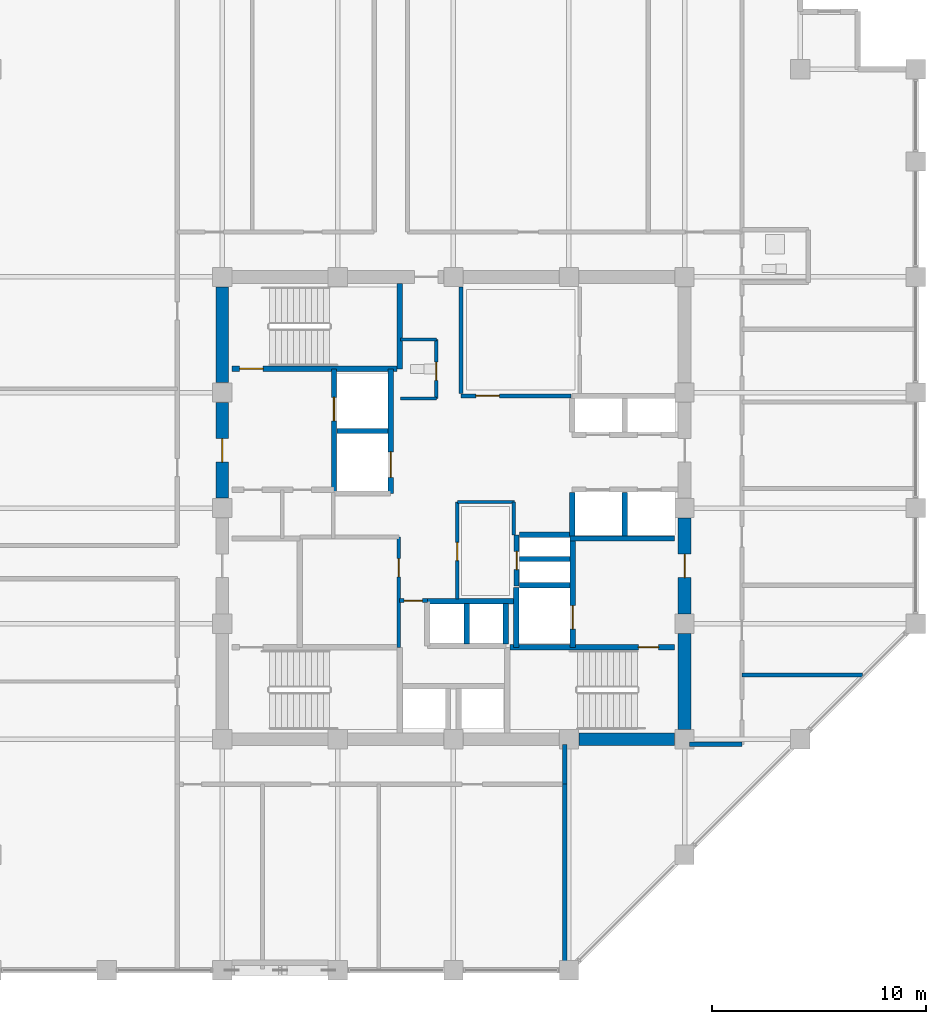
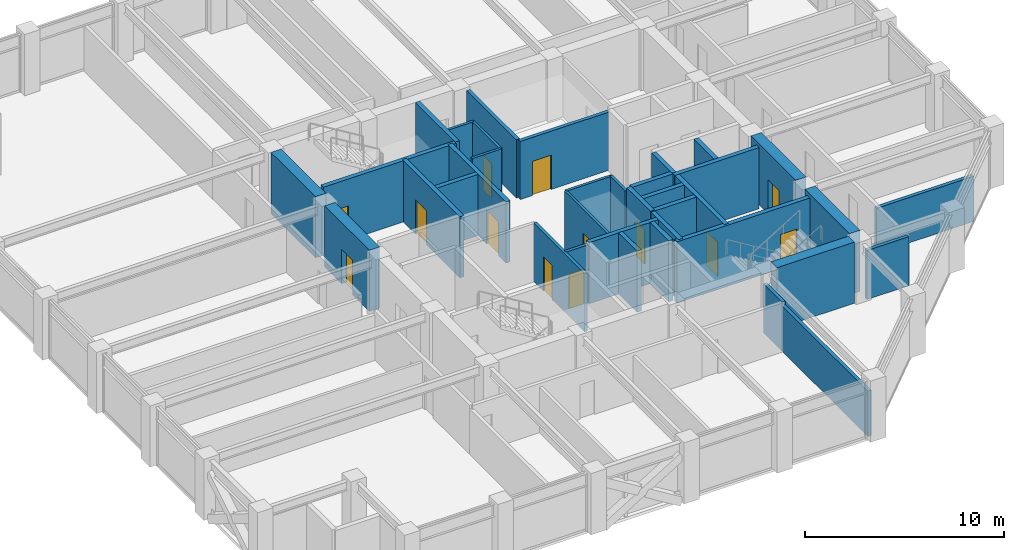
# One storey, part 28 of 32: 37 walls, 13 doors, 13 openings.
"""IFC4 building model written with IfcOpenShell, lengths in metres."""

from ifc_helpers import new_model, si_unit, direction, frame, frame_2d, origin, place, context, subcontext, project, spatial, rectangle, extrude, material, layer, layer_set, type_object, element, fill, save


model = new_model("IFC4")

# Units and contexts
model_context = context("Model", 3, precision=1e-05, world=origin(), true_north=direction((0.0, 1.0)))
body_context = subcontext(model_context, "Body", "Model", "MODEL_VIEW")
ifc_project = project(units=[si_unit("LENGTHUNIT", "METRE"), si_unit("AREAUNIT", "SQUARE_METRE"), si_unit("VOLUMEUNIT", "CUBIC_METRE"), si_unit("PLANEANGLEUNIT", "RADIAN"), si_unit("MASSUNIT", "GRAM", prefix="KILO")], contexts=[model_context])

# Site, building, storey
site_placement = place(None, origin())
site = spatial("IfcSite", under=ifc_project, at=site_placement, CompositionType="ELEMENT")
building_placement = place(site_placement, origin())
building = spatial("IfcBuilding", under=site, at=building_placement, Name="Surkhivell Harbour Commons", CompositionType="ELEMENT")
storey_placement = place(building_placement, frame((0.0, 0.0, 204.75)))
storey = spatial("IfcBuildingStorey", under=building, at=storey_placement, Name="L53", CompositionType="ELEMENT", Elevation=204.75)

# Wall
ifc_material_1 = material(Name="Concrete C60/75", Category="concrete")
ifc_layer_1 = layer(ifc_material_1, 0.60009765625)
ifc_layer_set_1 = layer_set([ifc_layer_1], Name="Concrete C60/75")
wall_type_1 = type_object("IfcWallType", Name="WAL-CORE-600", PredefinedType="SHEAR", material=ifc_layer_set_1)
wall_1_placement = place(storey_placement, frame((10.800048828125, -10.340087890625, 0.0), z_axis=(0.0, 0.0, 1.0), x_axis=(0.0, 1.0, 0.0)))
element("IfcWall", 1, at=wall_1_placement, inside=storey, type_object=wall_type_1, Name="L53 Core Shear Wall East 1", PredefinedType="SHEAR", context=body_context, shape_type="SweptSolid", body=[
    extrude(rectangle(XDim=4.47998046875, YDim=0.60009765625, at=frame_2d((2.239990234375, 0.0))), origin(), (0.0, 0.0, 1.0), 3.75),
])

# Wall, opening, door
wall_2_placement = place(storey_placement, frame((10.800048828125, -4.93994140625, 0.0), z_axis=(0.0, 0.0, 1.0), x_axis=(0.0, 1.0, 0.0)))
wall_2 = element("IfcWall", 2, at=wall_2_placement, inside=storey, type_object=wall_type_1, Name="L53 Core Shear Wall East 2", PredefinedType="SHEAR", context=body_context, shape_type="SweptSolid", body=[
    extrude(rectangle(XDim=4.47998046875, YDim=0.60009765625, at=frame_2d((2.239990234375, 0.0))), origin(), (0.0, 0.0, 1.0), 3.75),
])
opening_1_placement = place(wall_2_placement, frame((1.68994140625, 0.0, 0.0)))
opening_1 = element("IfcOpeningElement", 3, at=opening_1_placement, cuts=wall_2, Name="Opening ID-1", PredefinedType="OPENING", context=body_context, shape_type="SweptSolid", body=[
    extrude(rectangle(XDim=1.10009765625, YDim=2.10009765625, at=frame_2d((0.550048828125, 1.050048828125))), frame((0.0, 0.31005859375, 0.0), z_axis=(0.0, -1.0, 0.0), x_axis=(1.0, 0.0, 0.0)), (0.0, 0.0, 1.0), 0.6201171875),
])
ifc_material_2 = material(Name="Hardwood-veneered fire-rated door leaf", Category="wood")
door_type_1 = type_object("IfcDoorType", Name="DOR-FD120-1100", OperationType="NOTDEFINED", PredefinedType="DOOR", material=ifc_material_2)
door_1_placement = place(opening_1_placement, origin())
door_1 = element("IfcDoor", 4, at=door_1_placement, inside=storey, type_object=door_type_1, Name="L53 Firefighting Lobby 2 Corridor Door", OperationType="SINGLE_SWING_RIGHT", OverallHeight=2.10009765625, OverallWidth=1.10009765625, PredefinedType="DOOR", context=body_context, shape_type="SweptSolid", body=[
    extrude(rectangle(XDim=1.10009765625, YDim=2.10009765625, at=frame_2d((0.550048828125, 1.050048828125))), frame((0.0, 0.02490234375, 0.0), z_axis=(0.0, -1.0, 0.0), x_axis=(1.0, 0.0, 0.0)), (0.0, 0.0, 1.0), 0.050048828125),
])
fill(opening_1, door_1)

wall_3_placement = place(storey_placement, frame((-10.800048828125, 0.4599609375, 0.0), z_axis=(0.0, 0.0, 1.0), x_axis=(0.0, 1.0, 0.0)))
wall_3 = element("IfcWall", 5, at=wall_3_placement, inside=storey, type_object=wall_type_1, Name="L53 Core Shear Wall West 3", PredefinedType="SHEAR", context=body_context, shape_type="SweptSolid", body=[
    extrude(rectangle(XDim=4.47998046875, YDim=0.60009765625, at=frame_2d((2.239990234375, 0.0))), origin(), (0.0, 0.0, 1.0), 3.75),
])
opening_2_placement = place(wall_3_placement, frame((1.68994140625, 0.0, 0.0)))
opening_2 = element("IfcOpeningElement", 6, at=opening_2_placement, cuts=wall_3, Name="Opening ID-1", PredefinedType="OPENING", context=body_context, shape_type="SweptSolid", body=[
    extrude(rectangle(XDim=1.10009765625, YDim=2.10009765625, at=frame_2d((0.550048828125, 1.050048828125))), frame((0.0, 0.31005859375, 0.0), z_axis=(0.0, -1.0, 0.0), x_axis=(1.0, 0.0, 0.0)), (0.0, 0.0, 1.0), 0.6201171875),
])
door_2_placement = place(opening_2_placement, origin())
door_2 = element("IfcDoor", 7, at=door_2_placement, inside=storey, type_object=door_type_1, Name="L53 Firefighting Lobby 1 Corridor Door", OperationType="SINGLE_SWING_LEFT", OverallHeight=2.10009765625, OverallWidth=1.10009765625, PredefinedType="DOOR", context=body_context, shape_type="SweptSolid", body=[
    extrude(rectangle(XDim=1.10009765625, YDim=2.10009765625, at=frame_2d((0.550048828125, 1.050048828125))), frame((0.0, 0.02490234375, 0.0), z_axis=(0.0, -1.0, 0.0), x_axis=(1.0, 0.0, 0.0)), (0.0, 0.0, 1.0), 0.050048828125),
])
fill(opening_2, door_2)

# Walls
for number, where, z_axis, x_axis, name in (
    (8, (5.860107421875, -10.800048828125, 0.0), (0.0, 0.0, 1.0), (1.0, 0.0, 0.0), "L53 Core Shear Wall South 4"),
    (9, (-10.800048828125, 5.860107421875, 0.0), (0.0, 0.0, 1.0), (0.0, 1.0, 0.0), "L53 Core Shear Wall West 4"),
):
    element("IfcWall", number, at=place(storey_placement, frame(where, z_axis=z_axis, x_axis=x_axis)), inside=storey, type_object=wall_type_1, Name=name, PredefinedType="SHEAR", context=body_context, shape_type="SweptSolid", body=[
        extrude(rectangle(XDim=4.47998046875, YDim=0.60009765625, at=frame_2d((2.239990234375, 0.0))), origin(), (0.0, 0.0, 1.0), 3.75),
    ])

# Wall, opening, door
ifc_material_3 = material(Name="Twin-stud acoustic fireboard partition", Category="other")
ifc_layer_2 = layer(ifc_material_3, 0.14990234375)
ifc_layer_set_2 = layer_set([ifc_layer_2], Name="Twin-stud acoustic fireboard partition")
wall_type_2 = type_object("IfcWallType", Name="WAL-INT-150", PredefinedType="PARTITIONING", material=ifc_layer_set_2)
wall_4_placement = place(storey_placement, frame((-0.800048828125, 5.1201171875, 0.0), z_axis=(0.0, 0.0, 1.0), x_axis=(0.0, 1.0, 0.0)))
wall_4 = element("IfcWall", 10, at=wall_4_placement, inside=storey, type_object=wall_type_2, Name="L53 Core Accessible WC East Wall", PredefinedType="PARTITIONING", context=body_context, shape_type="SweptSolid", body=[
    extrude(rectangle(XDim=2.759765625, YDim=0.14990234375, at=frame_2d((1.3798828125, 0.0))), origin(), (0.0, 0.0, 1.0), 3.570068359375),
])
opening_3_placement = place(wall_4_placement, frame((0.85009765625, 0.0, 0.0)))
opening_3 = element("IfcOpeningElement", 11, at=opening_3_placement, cuts=wall_4, Name="Opening ID-6", PredefinedType="OPENING", context=body_context, shape_type="SweptSolid", body=[
    extrude(rectangle(XDim=0.85009765625, YDim=2.10009765625, at=frame_2d((0.425048828125, 1.050048828125))), frame((0.0, 0.0849609375, 0.0), z_axis=(0.0, -1.0, 0.0), x_axis=(1.0, 0.0, 0.0)), (0.0, 0.0, 1.0), 0.169921875),
])
door_type_2 = type_object("IfcDoorType", Name="DOR-FD30-850", OperationType="NOTDEFINED", PredefinedType="DOOR", material=ifc_material_2)
door_3_placement = place(opening_3_placement, origin())
door_3 = element("IfcDoor", 12, at=door_3_placement, inside=storey, type_object=door_type_2, Name="L53 Floor Accessible WC Door", OperationType="SINGLE_SWING_LEFT", OverallHeight=2.10009765625, OverallWidth=0.85009765625, PredefinedType="DOOR", context=body_context, shape_type="SweptSolid", body=[
    extrude(rectangle(XDim=0.85009765625, YDim=2.10009765625, at=frame_2d((0.425048828125, 1.050048828125))), frame((0.0, 0.02490234375, 0.0), z_axis=(0.0, -1.0, 0.0), x_axis=(1.0, 0.0, 0.0)), (0.0, 0.0, 1.0), 0.050048828125),
])
fill(opening_3, door_3)

# Walls
for number, where, z_axis, x_axis, name in (
    (13, (-2.47998046875, 7.8798828125, 0.0), (0.0, 0.0, 1.0), (1.0, 0.0, 0.0), "L53 Core Accessible WC North Wall"),
    (14, (-2.47998046875, 5.1201171875, 0.0), (0.0, 0.0, 1.0), (1.0, 0.0, 0.0), "L53 Core Accessible WC South Wall"),
):
    element("IfcWall", number, at=place(storey_placement, frame(where, z_axis=z_axis, x_axis=x_axis)), inside=storey, type_object=wall_type_2, Name=name, PredefinedType="PARTITIONING", context=body_context, shape_type="SweptSolid", body=[
        extrude(rectangle(XDim=1.679931640625, YDim=0.14990234375, at=frame_2d((0.83984375, 0.0))), origin(), (0.0, 0.0, 1.0), 3.570068359375),
    ])
wall_5_placement = place(storey_placement, frame((2.820068359375, -1.25, 0.0), z_axis=(0.0, 0.0, 1.0), x_axis=(0.0, 1.0, 0.0)))
element("IfcWall", 15, at=wall_5_placement, inside=storey, type_object=wall_type_2, Name="L53 Central Music East Wall", PredefinedType="PARTITIONING", context=body_context, shape_type="SweptSolid", body=[
    extrude(rectangle(XDim=1.530029296875, YDim=0.14990234375, at=frame_2d((0.76513671875, 0.0))), origin(), (0.0, 0.0, 1.0), 3.570068359375),
])
wall_6_placement = place(storey_placement, frame((0.179931640625, 0.280029296875, 0.0), z_axis=(0.0, 0.0, 1.0), x_axis=(1.0, 0.0, 0.0)))
element("IfcWall", 16, at=wall_6_placement, inside=storey, type_object=wall_type_2, Name="L53 Central Music North Wall", PredefinedType="PARTITIONING", context=body_context, shape_type="SweptSolid", body=[
    extrude(rectangle(XDim=2.670166015625, YDim=0.14990234375, at=frame_2d((1.3349609375, 0.0))), origin(), (0.0, 0.0, 1.0), 3.570068359375),
])

# Wall, opening, door
wall_7_placement = place(storey_placement, frame((0.179931640625, -4.25, 0.0), z_axis=(0.0, 0.0, 1.0), x_axis=(0.0, 1.0, 0.0)))
wall_7 = element("IfcWall", 17, at=wall_7_placement, inside=storey, type_object=wall_type_2, Name="L53 Central Music West Wall", PredefinedType="PARTITIONING", context=body_context, shape_type="SweptSolid", body=[
    extrude(rectangle(XDim=4.530029296875, YDim=0.14990234375, at=frame_2d((2.26513671875, 0.0))), origin(), (0.0, 0.0, 1.0), 3.570068359375),
])
opening_4_placement = place(wall_7_placement, frame((1.800048828125, 0.0, 0.0)))
opening_4 = element("IfcOpeningElement", 18, at=opening_4_placement, cuts=wall_7, Name="Opening ID-6", PredefinedType="OPENING", context=body_context, shape_type="SweptSolid", body=[
    extrude(rectangle(XDim=0.85009765625, YDim=2.10009765625, at=frame_2d((0.425048828125, 1.050048828125))), frame((0.0, 0.0849609375, 0.0), z_axis=(0.0, -1.0, 0.0), x_axis=(1.0, 0.0, 0.0)), (0.0, 0.0, 1.0), 0.169921875),
])
door_4_placement = place(opening_4_placement, origin())
door_4 = element("IfcDoor", 19, at=door_4_placement, inside=storey, type_object=door_type_2, Name="L53 Central Music Door", OperationType="SINGLE_SWING_RIGHT", OverallHeight=2.10009765625, OverallWidth=0.85009765625, PredefinedType="DOOR", context=body_context, shape_type="SweptSolid", body=[
    extrude(rectangle(XDim=0.85009765625, YDim=2.10009765625, at=frame_2d((0.425048828125, 1.050048828125))), frame((0.0, 0.02490234375, 0.0), z_axis=(0.0, -1.0, 0.0), x_axis=(1.0, 0.0, 0.0)), (0.0, 0.0, 1.0), 0.050048828125),
])
fill(opening_4, door_4)

ifc_material_4 = material(Name="High-density acoustic blockwork fire partition", Category="masonry")
ifc_layer_3 = layer(ifc_material_4, 0.175048828125)
ifc_layer_set_3 = layer_set([ifc_layer_3], Name="High-density acoustic blockwork fire partition")
wall_type_3 = type_object("IfcWallType", Name="WAL-INT-175", PredefinedType="PARTITIONING", material=ifc_layer_set_3)
wall_8_placement = place(storey_placement, frame((-2.550048828125, -6.510009765625, 0.0), z_axis=(0.0, 0.0, 1.0), x_axis=(0.0, 1.0, 0.0)))
wall_8 = element("IfcWall", 20, at=wall_8_placement, inside=storey, type_object=wall_type_3, Name="L53 Core Service Bay East Wall", PredefinedType="PARTITIONING", context=body_context, shape_type="SweptSolid", body=[
    extrude(rectangle(XDim=5.159912109375, YDim=0.175048828125, at=frame_2d((2.580078125, 0.0))), origin(), (0.0, 0.0, 1.0), 3.570068359375),
])
opening_5_placement = place(wall_8_placement, frame((3.300048828125, 0.0, 0.0)))
opening_5 = element("IfcOpeningElement", 21, at=opening_5_placement, cuts=wall_8, Name="Opening ID-6", PredefinedType="OPENING", context=body_context, shape_type="SweptSolid", body=[
    extrude(rectangle(XDim=0.85009765625, YDim=2.10009765625, at=frame_2d((0.425048828125, 1.050048828125))), frame((0.0, 0.097412109375, 0.0), z_axis=(0.0, -1.0, 0.0), x_axis=(1.0, 0.0, 0.0)), (0.0, 0.0, 1.0), 0.195068359375),
])
door_5_placement = place(opening_5_placement, origin())
door_5 = element("IfcDoor", 22, at=door_5_placement, inside=storey, type_object=door_type_2, Name="L53 Core Quiet Reading Door", OperationType="SINGLE_SWING_RIGHT", OverallHeight=2.10009765625, OverallWidth=0.85009765625, PredefinedType="DOOR", context=body_context, shape_type="SweptSolid", body=[
    extrude(rectangle(XDim=0.85009765625, YDim=2.10009765625, at=frame_2d((0.425048828125, 1.050048828125))), frame((0.0, 0.02490234375, 0.0), z_axis=(0.0, -1.0, 0.0), x_axis=(1.0, 0.0, 0.0)), (0.0, 0.0, 1.0), 0.050048828125),
])
fill(opening_5, door_5)

wall_9_placement = place(storey_placement, frame((-2.52001953125, -4.320068359375, 0.0), z_axis=(0.0, 0.0, 1.0), x_axis=(1.0, 0.0, 0.0)))
wall_9 = element("IfcWall", 23, at=wall_9_placement, inside=storey, type_object=wall_type_3, Name="L53 High-Rise Lobby North Portal Wall", PredefinedType="PARTITIONING", context=body_context, shape_type="SweptSolid", body=[
    extrude(rectangle(XDim=1.300048828125, YDim=0.175048828125, at=frame_2d((0.64990234375, 0.0))), origin(), (0.0, 0.0, 1.0), 3.570068359375),
])
opening_6_placement = place(wall_9_placement, frame((0.219970703125, 0.0, 0.0)))
opening_6 = element("IfcOpeningElement", 24, at=opening_6_placement, cuts=wall_9, Name="Opening ID-6", PredefinedType="OPENING", context=body_context, shape_type="SweptSolid", body=[
    extrude(rectangle(XDim=0.85009765625, YDim=2.10009765625, at=frame_2d((0.425048828125, 1.050048828125))), frame((0.0, 0.097412109375, 0.0), z_axis=(0.0, -1.0, 0.0), x_axis=(1.0, 0.0, 0.0)), (0.0, 0.0, 1.0), 0.195068359375),
])
door_6_placement = place(opening_6_placement, origin())
door_6 = element("IfcDoor", 25, at=door_6_placement, inside=storey, type_object=door_type_2, Name="L53 High-Rise Lift Lobby North Door", OperationType="SINGLE_SWING_LEFT", OverallHeight=2.10009765625, OverallWidth=0.85009765625, PredefinedType="DOOR", context=body_context, shape_type="SweptSolid", body=[
    extrude(rectangle(XDim=0.85009765625, YDim=2.10009765625, at=frame_2d((0.425048828125, 1.050048828125))), frame((0.0, 0.02490234375, 0.0), z_axis=(0.0, -1.0, 0.0), x_axis=(1.0, 0.0, 0.0)), (0.0, 0.0, 1.0), 0.050048828125),
])
fill(opening_6, door_6)

ifc_material_5 = material(Name="Autoclaved aerated concrete blockwork and fire plaster", Category="masonry")
ifc_layer_4 = layer(ifc_material_5, 0.199951171875)
ifc_layer_set_4 = layer_set([ifc_layer_4], Name="Autoclaved aerated concrete blockwork and fire plaster")
wall_type_4 = type_object("IfcWallType", Name="WAL-INT-200", PredefinedType="PARTITIONING", material=ifc_layer_set_4)
wall_10_placement = place(storey_placement, frame((0.35009765625, 5.239990234375, 0.0), z_axis=(0.0, 0.0, 1.0), x_axis=(1.0, 0.0, 0.0)))
wall_10 = element("IfcWall", 26, at=wall_10_placement, inside=storey, type_object=wall_type_4, Name="L53 Reclaimed Core North Bay South Wall", PredefinedType="PARTITIONING", context=body_context, shape_type="SweptSolid", body=[
    extrude(rectangle(XDim=5.14990234375, YDim=0.199951171875, at=frame_2d((2.574951171875, 0.0))), origin(), (0.0, 0.0, 1.0), 3.570068359375),
])
opening_7_placement = place(wall_10_placement, frame((0.699951171875, 0.0, 0.0)))
opening_7 = element("IfcOpeningElement", 27, at=opening_7_placement, cuts=wall_10, Name="Opening ID-2", PredefinedType="OPENING", context=body_context, shape_type="SweptSolid", body=[
    extrude(rectangle(XDim=1.10009765625, YDim=2.10009765625, at=frame_2d((0.550048828125, 1.050048828125))), frame((0.0, 0.10986328125, 0.0), z_axis=(0.0, -1.0, 0.0), x_axis=(1.0, 0.0, 0.0)), (0.0, 0.0, 1.0), 0.219970703125),
])
door_type_3 = type_object("IfcDoorType", Name="DOR-FD60-1100", OperationType="NOTDEFINED", PredefinedType="DOOR", material=ifc_material_2)
door_7_placement = place(opening_7_placement, origin())
door_7 = element("IfcDoor", 28, at=door_7_placement, inside=storey, type_object=door_type_3, Name="L53 Core Seminar Door", OperationType="SINGLE_SWING_LEFT", OverallHeight=2.10009765625, OverallWidth=1.10009765625, PredefinedType="DOOR", context=body_context, shape_type="SweptSolid", body=[
    extrude(rectangle(XDim=1.10009765625, YDim=2.10009765625, at=frame_2d((0.550048828125, 1.050048828125))), frame((0.0, 0.02490234375, 0.0), z_axis=(0.0, -1.0, 0.0), x_axis=(1.0, 0.0, 0.0)), (0.0, 0.0, 1.0), 0.050048828125),
])
fill(opening_7, door_7)

# Walls
wall_11_placement = place(storey_placement, frame((0.35009765625, 5.360107421875, 0.0), z_axis=(0.0, 0.0, 1.0), x_axis=(0.0, 1.0, 0.0)))
element("IfcWall", 29, at=wall_11_placement, inside=storey, type_object=wall_type_4, Name="L53 Reclaimed Core North Bay West Wall", PredefinedType="PARTITIONING", context=body_context, shape_type="SweptSolid", body=[
    extrude(rectangle(XDim=4.97998046875, YDim=0.199951171875, at=frame_2d((2.489990234375, 0.0))), origin(), (0.0, 0.0, 1.0), 3.570068359375),
])
wall_12_placement = place(storey_placement, frame((5.199951171875, -21.5400390625, 0.0), z_axis=(0.0, 0.0, 1.0), x_axis=(0.0, 1.0, 0.0)))
element("IfcWall", 30, at=wall_12_placement, inside=storey, type_object=wall_type_4, Name="L53 South-East Corner Wall", PredefinedType="PARTITIONING", context=body_context, shape_type="SweptSolid", body=[
    extrude(rectangle(XDim=8.64013671875, YDim=0.199951171875, at=frame_2d((4.320068359375, 0.0))), origin(), (0.0, 0.0, 1.0), 2.780029296875),
])
wall_13_placement = place(storey_placement, frame((11.0400390625, -11.0400390625, 0.0), z_axis=(0.0, 0.0, 1.0), x_axis=(1.0, 0.0, 0.0)))
element("IfcWall", 31, at=wall_13_placement, inside=storey, type_object=wall_type_4, Name="L53 Corridor East South Closure Wall", PredefinedType="PARTITIONING", context=body_context, shape_type="SweptSolid", body=[
    extrude(rectangle(XDim=2.43994140625, YDim=0.199951171875, at=frame_2d((1.219970703125, 0.0))), origin(), (0.0, 0.0, 1.0), 3.006103515625),
])
wall_14_placement = place(storey_placement, frame((5.199951171875, -12.89990234375, 0.0), z_axis=(0.0, 0.0, 1.0), x_axis=(0.0, 1.0, 0.0)))
element("IfcWall", 32, at=wall_14_placement, inside=storey, type_object=wall_type_4, Name="L53 Corridor South End Wall", PredefinedType="PARTITIONING", context=body_context, shape_type="SweptSolid", body=[
    extrude(rectangle(XDim=1.85986328125, YDim=0.199951171875, at=frame_2d((0.929931640625, 0.0))), origin(), (0.0, 0.0, 1.0), 3.006103515625),
])
wall_15_placement = place(storey_placement, frame((13.47998046875, -7.800048828125, 0.0), z_axis=(0.0, 0.0, 1.0), x_axis=(1.0, 0.0, 0.0)))
element("IfcWall", 33, at=wall_15_placement, inside=storey, type_object=wall_type_4, Name="L53 East Partition PBOT", PredefinedType="PARTITIONING", context=body_context, shape_type="SweptSolid", body=[
    extrude(rectangle(XDim=5.63525390625, YDim=0.199951171875, at=frame_2d((2.817626953125, 0.0))), origin(), (0.0, 0.0, 1.0), 2.780029296875),
])

# Wall, opening, door
ifc_material_6 = material(Name="Concrete C50/60", Category="concrete")
ifc_layer_5 = layer(ifc_material_6, 0.25)
ifc_layer_set_5 = layer_set([ifc_layer_5], Name="Concrete C50/60")
wall_type_5 = type_object("IfcWallType", Name="WAL-SHAFT-250", PredefinedType="SHEAR", material=ifc_layer_set_5)
wall_16_placement = place(storey_placement, frame((-5.580078125, 0.719970703125, 0.0), z_axis=(0.0, 0.0, 1.0), x_axis=(0.0, 1.0, 0.0)))
wall_16 = element("IfcWall", 34, at=wall_16_placement, inside=storey, type_object=wall_type_5, Name="L53 Firefighting Lobby 1 East Shaft Wall", PredefinedType="SHEAR", context=body_context, shape_type="SweptSolid", body=[
    extrude(rectangle(XDim=5.7900390625, YDim=0.25, at=frame_2d((2.89501953125, 0.0))), origin(), (0.0, 0.0, 1.0), 3.75),
])
opening_8_placement = place(wall_16_placement, frame((3.35009765625, 0.0, 0.0)))
opening_8 = element("IfcOpeningElement", 35, at=opening_8_placement, cuts=wall_16, Name="Opening LD-1", PredefinedType="OPENING", context=body_context, shape_type="SweptSolid", body=[
    extrude(rectangle(XDim=1.10009765625, YDim=2.10009765625, at=frame_2d((0.550048828125, 1.050048828125))), frame((0.0, 0.135009765625, 0.0), z_axis=(0.0, -1.0, 0.0), x_axis=(1.0, 0.0, 0.0)), (0.0, 0.0, 1.0), 0.27001953125),
])
ifc_material_7 = material(Name="Brushed stainless steel S355", Category="steel")
door_type_4 = type_object("IfcDoorType", Name="DOR-LD-1100", OperationType="SLIDING_TO_LEFT", PredefinedType="DOOR", material=ifc_material_7)
door_8_placement = place(opening_8_placement, origin())
door_8 = element("IfcDoor", 36, at=door_8_placement, inside=storey, type_object=door_type_4, Name="L53 Lift Landing Door LD-FFL1", OperationType="SLIDING_TO_LEFT", OverallHeight=2.10009765625, OverallWidth=1.10009765625, PredefinedType="DOOR", context=body_context, shape_type="SweptSolid", body=[
    extrude(rectangle(XDim=1.10009765625, YDim=2.10009765625, at=frame_2d((0.550048828125, 1.050048828125))), frame((0.0, 0.02490234375, 0.0), z_axis=(0.0, -1.0, 0.0), x_axis=(1.0, 0.0, 0.0)), (0.0, 0.0, 1.0), 0.050048828125),
])
fill(opening_8, door_8)

# Walls
wall_17_placement = place(storey_placement, frame((2.929931640625, -6.510009765625, 0.0), z_axis=(0.0, 0.0, 1.0), x_axis=(0.0, 1.0, 0.0)))
element("IfcWall", 37, at=wall_17_placement, inside=storey, type_object=wall_type_5, Name="L53 FFL2 West Shaft Wall", PredefinedType="SHEAR", context=body_context, shape_type="SweptSolid", body=[
    extrude(rectangle(XDim=2.7900390625, YDim=0.25, at=frame_2d((1.39501953125, 0.0))), origin(), (0.0, 0.0, 1.0), 3.75),
])
wall_18_placement = place(storey_placement, frame((5.43994140625, -1.419921875, 0.0), z_axis=(0.0, 0.0, 1.0), x_axis=(1.0, 0.0, 0.0)))
element("IfcWall", 38, at=wall_18_placement, inside=storey, type_object=wall_type_5, Name="L53 Firefighting Lobby 2 North Wall", PredefinedType="SHEAR", context=body_context, shape_type="SweptSolid", body=[
    extrude(rectangle(XDim=4.900146484375, YDim=0.25, at=frame_2d((2.4501953125, 0.0))), origin(), (0.0, 0.0, 1.0), 3.75),
])
wall_19_placement = place(storey_placement, frame((3.080078125, -3.60009765625, 0.0), z_axis=(0.0, 0.0, 1.0), x_axis=(1.0, 0.0, 0.0)))
element("IfcWall", 39, at=wall_19_placement, inside=storey, type_object=wall_type_5, Name="L53 FFL2 North Shaft Wall", PredefinedType="SHEAR", context=body_context, shape_type="SweptSolid", body=[
    extrude(rectangle(XDim=2.369873046875, YDim=0.25, at=frame_2d((1.18505859375, 0.0))), origin(), (0.0, 0.0, 1.0), 3.75),
])

# Wall, opening, door
wall_20_placement = place(storey_placement, frame((5.580078125, -6.510009765625, 0.0), z_axis=(0.0, 0.0, 1.0), x_axis=(0.0, 1.0, 0.0)))
wall_20 = element("IfcWall", 40, at=wall_20_placement, inside=storey, type_object=wall_type_5, Name="L53 Firefighting Lobby 2 West Shaft Wall", PredefinedType="SHEAR", context=body_context, shape_type="SweptSolid", body=[
    extrude(rectangle(XDim=5.090087890625, YDim=0.25, at=frame_2d((2.544921875, 0.0))), origin(), (0.0, 0.0, 1.0), 3.75),
])
opening_9_placement = place(wall_20_placement, frame((0.85009765625, 0.0, 0.0)))
opening_9 = element("IfcOpeningElement", 41, at=opening_9_placement, cuts=wall_20, Name="Opening LD-1", PredefinedType="OPENING", context=body_context, shape_type="SweptSolid", body=[
    extrude(rectangle(XDim=1.10009765625, YDim=2.10009765625, at=frame_2d((0.550048828125, 1.050048828125))), frame((0.0, 0.135009765625, 0.0), z_axis=(0.0, -1.0, 0.0), x_axis=(1.0, 0.0, 0.0)), (0.0, 0.0, 1.0), 0.27001953125),
])
door_9_placement = place(opening_9_placement, origin())
door_9 = element("IfcDoor", 42, at=door_9_placement, inside=storey, type_object=door_type_4, Name="L53 Lift Landing Door LD-FFL2", OperationType="SLIDING_TO_RIGHT", OverallHeight=2.10009765625, OverallWidth=1.10009765625, PredefinedType="DOOR", context=body_context, shape_type="SweptSolid", body=[
    extrude(rectangle(XDim=1.10009765625, YDim=2.10009765625, at=frame_2d((0.550048828125, 1.050048828125))), frame((0.0, 0.02490234375, 0.0), z_axis=(0.0, -1.0, 0.0), x_axis=(1.0, 0.0, 0.0)), (0.0, 0.0, 1.0), 0.050048828125),
])
fill(opening_9, door_9)

# Walls
for number, where, z_axis, x_axis, name in (
    (43, (0.6201171875, -6.340087890625, 0.0), (0.0, 0.0, 1.0), (0.0, 1.0, 0.0), "L53 High-Rise Side Wall N"),
    (44, (2.449951171875, -6.340087890625, 0.0), (0.0, 0.0, 1.0), (0.0, 1.0, 0.0), "L53 High-Rise Side Wall N"),
):
    element("IfcWall", number, at=place(storey_placement, frame(where, z_axis=z_axis, x_axis=x_axis)), inside=storey, type_object=wall_type_5, Name=name, PredefinedType="SHEAR", context=body_context, shape_type="SweptSolid", body=[
        extrude(rectangle(XDim=1.880126953125, YDim=0.25, at=frame_2d((0.93994140625, 0.0))), origin(), (0.0, 0.0, 1.0), 3.75),
    ])
wall_21_placement = place(storey_placement, frame((-1.219970703125, -4.360107421875, 0.0), z_axis=(0.0, 0.0, 1.0), x_axis=(1.0, 0.0, 0.0)))
element("IfcWall", 45, at=wall_21_placement, inside=storey, type_object=wall_type_5, Name="L53 High-Rise North Back Shaft Wall", PredefinedType="SHEAR", context=body_context, shape_type="SweptSolid", body=[
    extrude(rectangle(XDim=4.030029296875, YDim=0.25, at=frame_2d((2.01513671875, 0.0))), origin(), (0.0, 0.0, 1.0), 3.75),
])
for number, where, z_axis, x_axis, name in (
    (46, (5.550048828125, -1.300048828125, 0.0), (0.0, 0.0, 1.0), (0.0, 1.0, 0.0), "L53 Mid-Rise Shaft Side Wall S"),
    (47, (8.0, -1.300048828125, 0.0), (0.0, 0.0, 1.0), (0.0, 1.0, 0.0), "L53 Mid-Rise Shaft Side Wall S"),
):
    element("IfcWall", number, at=place(storey_placement, frame(where, z_axis=z_axis, x_axis=x_axis)), inside=storey, type_object=wall_type_5, Name=name, PredefinedType="SHEAR", context=body_context, shape_type="SweptSolid", body=[
        extrude(rectangle(XDim=2.0400390625, YDim=0.25, at=frame_2d((1.02001953125, 0.0))), origin(), (0.0, 0.0, 1.0), 3.75),
    ])
for number, where, z_axis, x_axis, name in (
    (48, (3.080078125, -2.3798828125, 0.0), (0.0, 0.0, 1.0), (1.0, 0.0, 0.0), "L53 Riser Divider Wall"),
    (49, (3.080078125, -1.25, 0.0), (0.0, 0.0, 1.0), (1.0, 0.0, 0.0), "L53 Riser North Wall"),
):
    element("IfcWall", number, at=place(storey_placement, frame(where, z_axis=z_axis, x_axis=x_axis)), inside=storey, type_object=wall_type_5, Name=name, PredefinedType="SHEAR", context=body_context, shape_type="SweptSolid", body=[
        extrude(rectangle(XDim=2.369873046875, YDim=0.25, at=frame_2d((1.18505859375, 0.0))), origin(), (0.0, 0.0, 1.0), 3.75),
    ])

# Wall, opening, door
wall_22_placement = place(storey_placement, frame((2.949951171875, -3.64990234375, 0.0), z_axis=(0.0, 0.0, 1.0), x_axis=(0.0, 1.0, 0.0)))
wall_22 = element("IfcWall", 50, at=wall_22_placement, inside=storey, type_object=wall_type_5, Name="L53 Riser Shaft West Wall", PredefinedType="SHEAR", context=body_context, shape_type="SweptSolid", body=[
    extrude(rectangle(XDim=2.39990234375, YDim=0.25, at=frame_2d((1.199951171875, 0.0))), origin(), (0.0, 0.0, 1.0), 3.75),
])
opening_10_placement = place(wall_22_placement, frame((0.77490234375, 0.0, 0.0)))
opening_10 = element("IfcOpeningElement", 51, at=opening_10_placement, cuts=wall_22, Name="Opening ID-6", PredefinedType="OPENING", context=body_context, shape_type="SweptSolid", body=[
    extrude(rectangle(XDim=0.85009765625, YDim=2.10009765625, at=frame_2d((0.425048828125, 1.050048828125))), frame((0.0, 0.135009765625, 0.0), z_axis=(0.0, -1.0, 0.0), x_axis=(1.0, 0.0, 0.0)), (0.0, 0.0, 1.0), 0.27001953125),
])
door_10_placement = place(opening_10_placement, origin())
door_10 = element("IfcDoor", 52, at=door_10_placement, inside=storey, type_object=door_type_2, Name="L53 Electrical Riser Access Door", OperationType="SINGLE_SWING_LEFT", OverallHeight=2.10009765625, OverallWidth=0.85009765625, PredefinedType="DOOR", context=body_context, shape_type="SweptSolid", body=[
    extrude(rectangle(XDim=0.85009765625, YDim=2.10009765625, at=frame_2d((0.425048828125, 1.050048828125))), frame((0.0, 0.02490234375, 0.0), z_axis=(0.0, -1.0, 0.0), x_axis=(1.0, 0.0, 0.0)), (0.0, 0.0, 1.0), 0.050048828125),
])
fill(opening_10, door_10)

# Wall
wall_23_placement = place(storey_placement, frame((-2.510009765625, 6.510009765625, 0.0), z_axis=(0.0, 0.0, 1.0), x_axis=(0.0, 1.0, 0.0)))
element("IfcWall", 53, at=wall_23_placement, inside=storey, type_object=wall_type_5, Name="L53 Stair ST1 East Shear Wall", PredefinedType="SHEAR", context=body_context, shape_type="SweptSolid", body=[
    extrude(rectangle(XDim=3.989990234375, YDim=0.25, at=frame_2d((1.9951171875, 0.0))), origin(), (0.0, 0.0, 1.0), 3.75),
])

# Wall, opening, door
wall_24_placement = place(storey_placement, frame((-10.340087890625, 6.510009765625, 0.0), z_axis=(0.0, 0.0, 1.0), x_axis=(1.0, 0.0, 0.0)))
wall_24 = element("IfcWall", 54, at=wall_24_placement, inside=storey, type_object=wall_type_5, Name="L53 Stair ST1 South Shear Wall", PredefinedType="SHEAR", context=body_context, shape_type="SweptSolid", body=[
    extrude(rectangle(XDim=7.7001953125, YDim=0.25, at=frame_2d((3.85009765625, 0.0))), origin(), (0.0, 0.0, 1.0), 3.75),
])
opening_11_placement = place(wall_24_placement, frame((0.35009765625, 0.0, 0.0)))
opening_11 = element("IfcOpeningElement", 55, at=opening_11_placement, cuts=wall_24, Name="Opening ID-2", PredefinedType="OPENING", context=body_context, shape_type="SweptSolid", body=[
    extrude(rectangle(XDim=1.10009765625, YDim=2.10009765625, at=frame_2d((0.550048828125, 1.050048828125))), frame((0.0, 0.135009765625, 0.0), z_axis=(0.0, -1.0, 0.0), x_axis=(1.0, 0.0, 0.0)), (0.0, 0.0, 1.0), 0.27001953125),
])
door_11_placement = place(opening_11_placement, origin())
door_11 = element("IfcDoor", 56, at=door_11_placement, inside=storey, type_object=door_type_3, Name="L53 Stair ST1 Exit Door", OperationType="SINGLE_SWING_LEFT", OverallHeight=2.10009765625, OverallWidth=1.10009765625, PredefinedType="DOOR", context=body_context, shape_type="SweptSolid", body=[
    extrude(rectangle(XDim=1.10009765625, YDim=2.10009765625, at=frame_2d((0.550048828125, 1.050048828125))), frame((0.0, 0.02490234375, 0.0), z_axis=(0.0, -1.0, 0.0), x_axis=(1.0, 0.0, 0.0)), (0.0, 0.0, 1.0), 0.050048828125),
])
fill(opening_11, door_11)

wall_25_placement = place(storey_placement, frame((2.639892578125, -6.510009765625, 0.0), z_axis=(0.0, 0.0, 1.0), x_axis=(1.0, 0.0, 0.0)))
wall_25 = element("IfcWall", 57, at=wall_25_placement, inside=storey, type_object=wall_type_5, Name="L53 Stair ST2 North Shear Wall", PredefinedType="SHEAR", context=body_context, shape_type="SweptSolid", body=[
    extrude(rectangle(XDim=7.7001953125, YDim=0.25, at=frame_2d((3.85009765625, 0.0))), origin(), (0.0, 0.0, 1.0), 3.75),
])
opening_12_placement = place(wall_25_placement, frame((6.0, 0.0, 0.0)))
opening_12 = element("IfcOpeningElement", 58, at=opening_12_placement, cuts=wall_25, Name="Opening ID-4", PredefinedType="OPENING", context=body_context, shape_type="SweptSolid", body=[
    extrude(rectangle(XDim=0.949951171875, YDim=2.10009765625, at=frame_2d((0.47509765625, 1.050048828125))), frame((0.0, 0.135009765625, 0.0), z_axis=(0.0, -1.0, 0.0), x_axis=(1.0, 0.0, 0.0)), (0.0, 0.0, 1.0), 0.27001953125),
])
door_type_5 = type_object("IfcDoorType", Name="DOR-FD60-950", OperationType="NOTDEFINED", PredefinedType="DOOR", material=ifc_material_2)
door_12_placement = place(opening_12_placement, origin())
door_12 = element("IfcDoor", 59, at=door_12_placement, inside=storey, type_object=door_type_5, Name="L53 Stair ST2 Exit Door", OperationType="SINGLE_SWING_RIGHT", OverallHeight=2.10009765625, OverallWidth=0.949951171875, PredefinedType="DOOR", context=body_context, shape_type="SweptSolid", body=[
    extrude(rectangle(XDim=0.949951171875, YDim=2.10009765625, at=frame_2d((0.47509765625, 1.050048828125))), frame((0.0, 0.02490234375, 0.0), z_axis=(0.0, -1.0, 0.0), x_axis=(1.0, 0.0, 0.0)), (0.0, 0.0, 1.0), 0.050048828125),
])
fill(opening_12, door_12)

wall_26_placement = place(storey_placement, frame((-2.929931640625, 0.679931640625, 0.0), z_axis=(0.0, 0.0, 1.0), x_axis=(0.0, 1.0, 0.0)))
wall_26 = element("IfcWall", 60, at=wall_26_placement, inside=storey, type_object=wall_type_5, Name="L53 Service and Fire Lift East Shaft Wall", PredefinedType="SHEAR", context=body_context, shape_type="SweptSolid", body=[
    extrude(rectangle(XDim=5.830078125, YDim=0.25, at=frame_2d((2.9150390625, 0.0))), origin(), (0.0, 0.0, 1.0), 3.75),
])
opening_13_placement = place(wall_26_placement, frame((0.75, 0.0, 0.0)))
opening_13 = element("IfcOpeningElement", 61, at=opening_13_placement, cuts=wall_26, Name="Opening LD-2", PredefinedType="OPENING", context=body_context, shape_type="SweptSolid", body=[
    extrude(rectangle(XDim=1.199951171875, YDim=2.10009765625, at=frame_2d((0.60009765625, 1.050048828125))), frame((0.0, 0.135009765625, 0.0), z_axis=(0.0, -1.0, 0.0), x_axis=(1.0, 0.0, 0.0)), (0.0, 0.0, 1.0), 0.27001953125),
])
door_type_6 = type_object("IfcDoorType", Name="DOR-LD-1200", OperationType="SLIDING_TO_LEFT", PredefinedType="DOOR", material=ifc_material_7)
door_13_placement = place(opening_13_placement, origin())
door_13 = element("IfcDoor", 62, at=door_13_placement, inside=storey, type_object=door_type_6, Name="L53 Lift Landing Door LD-SVL1", OperationType="SLIDING_TO_LEFT", OverallHeight=2.10009765625, OverallWidth=1.199951171875, PredefinedType="DOOR", context=body_context, shape_type="SweptSolid", body=[
    extrude(rectangle(XDim=1.199951171875, YDim=2.10009765625, at=frame_2d((0.60009765625, 1.050048828125))), frame((0.0, 0.02490234375, 0.0), z_axis=(0.0, -1.0, 0.0), x_axis=(1.0, 0.0, 0.0)), (0.0, 0.0, 1.0), 0.050048828125),
])
fill(opening_13, door_13)

# Wall
wall_27_placement = place(storey_placement, frame((-5.449951171875, 3.60009765625, 0.0), z_axis=(0.0, 0.0, 1.0), x_axis=(1.0, 0.0, 0.0)))
element("IfcWall", 63, at=wall_27_placement, inside=storey, type_object=wall_type_5, Name="L53 FFL1/SVL1 Shaft Divider", PredefinedType="SHEAR", context=body_context, shape_type="SweptSolid", body=[
    extrude(rectangle(XDim=2.389892578125, YDim=0.25, at=frame_2d((1.19482421875, 0.0))), origin(), (0.0, 0.0, 1.0), 3.75),
])

save(model, "model.ifc")
